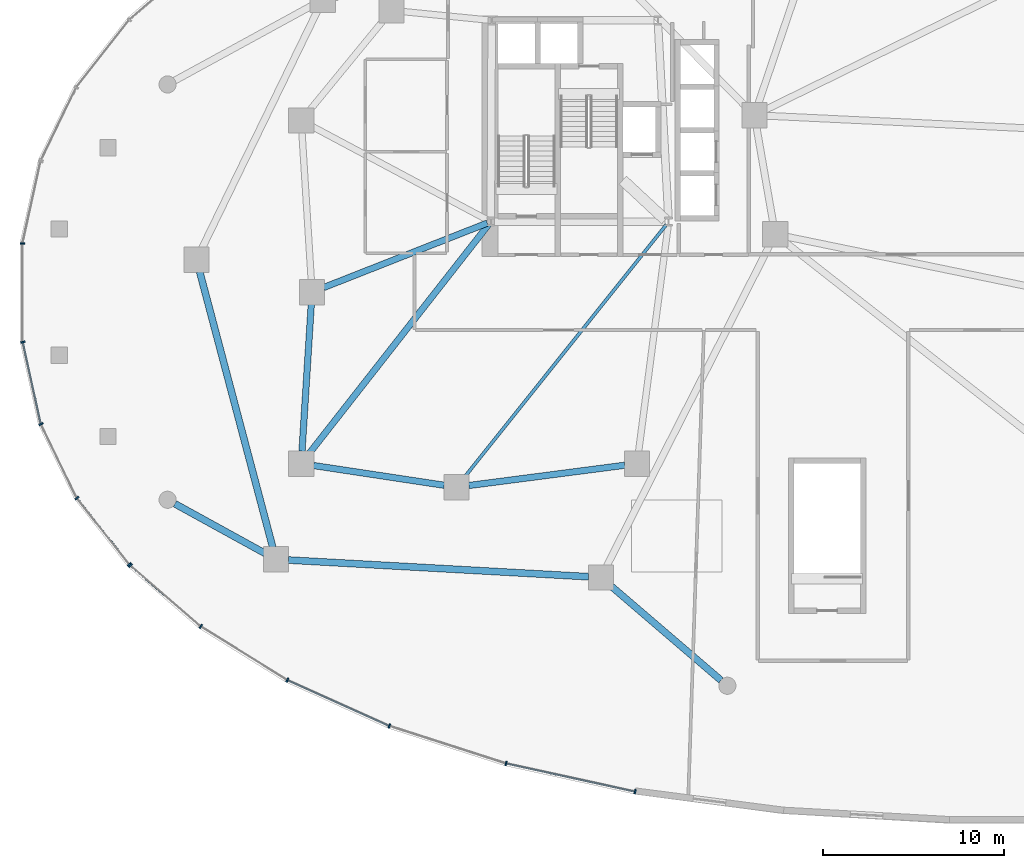
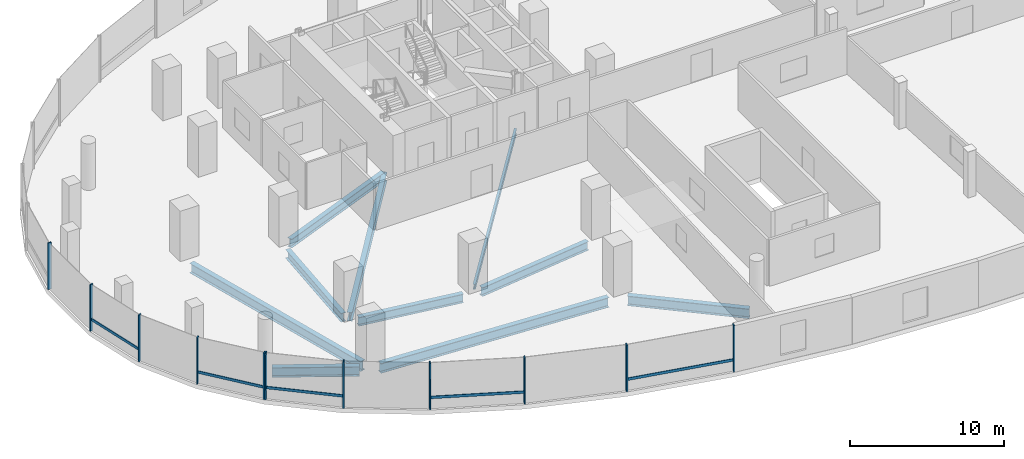
# One storey, part 3 of 18: 16 members, 10 beams, 2 elements without a shape of their own.
"""IFC4 building model written with IfcOpenShell, lengths in metres."""

from ifc_helpers import new_model, si_unit, direction, frame, origin, origin_2d, place, context, subcontext, project, spatial, rectangle, i_section, extrude, material, material_profile, profile_set, type_object, element, aggregate, save


model = new_model("IFC4")

# Units and contexts
model_context = context("Model", 3, precision=1e-05, world=origin(), true_north=direction((0.0, 1.0)))
body_context = subcontext(model_context, "Body", "Model", "MODEL_VIEW")
ifc_project = project(units=[si_unit("LENGTHUNIT", "METRE"), si_unit("AREAUNIT", "SQUARE_METRE"), si_unit("VOLUMEUNIT", "CUBIC_METRE"), si_unit("PLANEANGLEUNIT", "RADIAN"), si_unit("MASSUNIT", "GRAM", prefix="KILO"), si_unit("THERMODYNAMICTEMPERATUREUNIT", "KELVIN"), si_unit("POWERUNIT", "WATT")], contexts=[model_context])

# Site, building, storey
site_placement = place(None, origin())
site = spatial("IfcSite", under=ifc_project, at=site_placement, CompositionType="ELEMENT")
building_placement = place(site_placement, origin())
building = spatial("IfcBuilding", under=site, at=building_placement, Name="Cundina Bronze Exchange", CompositionType="ELEMENT")
storey_placement = place(building_placement, frame((0.0, 0.0, 20.0)))
storey = spatial("IfcBuildingStorey", under=building, at=storey_placement, Name="L04", CompositionType="ELEMENT", Elevation=20.0)

# Beams
ifc_material_1 = material(Name="Steel ASTM A992 Grade 50", Category="steel")
ifc_material_profile_1 = material_profile(ifc_material_1, i_section(OverallWidth=0.178955078125, OverallDepth=0.409912109375, WebThickness=0.0087890625, FlangeThickness=0.014404296875, FilletRadius=0.010986328125, at=origin_2d()), Name="W16X45", Category="steel")
ifc_profile_set_1 = profile_set([ifc_material_profile_1], Name="Steel ASTM A992 Grade 50")
beam_type_1 = type_object("IfcBeamType", Name="BM-JST-W16", PredefinedType="JOIST", material=ifc_profile_set_1)
beam_1_placement = place(storey_placement, frame((-21.577392578125, 3.740478515625, -0.554931640625), z_axis=(-0.624374458297, -0.781125172957, 0.0), x_axis=(0.781125172957, -0.624374458297, 0.0)))
element("IfcBeam", 1, at=beam_1_placement, inside=storey, type_object=beam_type_1, Name="L04 W Interior Core-to-Ring Joist 2", PredefinedType="JOIST", context=body_context, shape_type="SweptSolid", body=[
    extrude(i_section(OverallWidth=0.178955078125, OverallDepth=0.409912109375, WebThickness=0.0087890625, FlangeThickness=0.014404296875, FilletRadius=0.010986328125, at=origin_2d()), origin(), (0.0, 0.0, 1.0), 17.927001953125),
])
ifc_material_profile_2 = material_profile(ifc_material_1, i_section(OverallWidth=0.35498046875, OverallDepth=0.695068359375, WebThickness=0.015380859375, FlangeThickness=0.02490234375, FilletRadius=0.01806640625, at=origin_2d()), Name="W27X146", Category="steel")
ifc_profile_set_2 = profile_set([ifc_material_profile_2], Name="Steel ASTM A992 Grade 50")
beam_type_2 = type_object("IfcBeamType", Name="BM-RING-W27", PredefinedType="USERDEFINED", material=ifc_profile_set_2)
beam_2_placement = place(storey_placement, frame((-41.243408203125, -0.6865234375, -0.697509765625), z_axis=(-0.063020359641, -0.998012241544, 0.0), x_axis=(0.998012241544, -0.063020359641, 0.0)))
element("IfcBeam", 2, at=beam_2_placement, inside=storey, type_object=beam_type_2, Name="L04 W Inner Structural Ring Girder 04", ObjectType="GIRDER", PredefinedType="USERDEFINED", context=body_context, shape_type="SweptSolid", body=[
    extrude(i_section(OverallWidth=0.35498046875, OverallDepth=0.695068359375, WebThickness=0.015380859375, FlangeThickness=0.02490234375, FilletRadius=0.01806640625, at=origin_2d()), origin(), (0.0, 0.0, 1.0), 8.14306640625),
])
beam_3_placement = place(storey_placement, frame((-41.11962890625, -9.602783203125, -0.697509765625), z_axis=(0.988763496177, -0.149488289268, 0.0), x_axis=(0.149488289268, 0.988763496177, 0.0)))
element("IfcBeam", 3, at=beam_3_placement, inside=storey, type_object=beam_type_2, Name="L04 W Inner Structural Ring Girder 05", ObjectType="GIRDER", PredefinedType="USERDEFINED", context=body_context, shape_type="SweptSolid", body=[
    extrude(i_section(OverallWidth=0.35498046875, OverallDepth=0.695068359375, WebThickness=0.015380859375, FlangeThickness=0.02490234375, FilletRadius=0.01806640625, at=origin_2d()), origin(), (0.0, 0.0, 1.0), 7.321533203125),
])
beam_4_placement = place(storey_placement, frame((-32.517578125, -10.711181640625, -0.697509765625), z_axis=(0.991655975758, 0.128912473185, 0.0), x_axis=(-0.128912473185, 0.991655975758, 0.0)))
element("IfcBeam", 4, at=beam_4_placement, inside=storey, type_object=beam_type_2, Name="L04 W Inner Structural Ring Girder 06", ObjectType="GIRDER", PredefinedType="USERDEFINED", context=body_context, shape_type="SweptSolid", body=[
    extrude(i_section(OverallWidth=0.35498046875, OverallDepth=0.695068359375, WebThickness=0.015380859375, FlangeThickness=0.02490234375, FilletRadius=0.01806640625, at=origin_2d()), origin(), (0.0, 0.0, 1.0), 8.7080078125),
])
beam_5_placement = place(storey_placement, frame((-31.48974609375, 3.8251953125, -0.697509765625), z_axis=(-0.930410463214, -0.366519262715, 0.0), x_axis=(0.366519262715, -0.930410463214, 0.0)))
element("IfcBeam", 5, at=beam_5_placement, inside=storey, type_object=beam_type_2, Name="L04 W Core-to-Waist Tie Beam 1", ObjectType="GIRDER", PredefinedType="USERDEFINED", context=body_context, shape_type="SweptSolid", body=[
    extrude(i_section(OverallWidth=0.35498046875, OverallDepth=0.695068359375, WebThickness=0.015380859375, FlangeThickness=0.02490234375, FilletRadius=0.01806640625, at=origin_2d()), origin(), (0.0, 0.0, 1.0), 9.74853515625),
])
beam_6_placement = place(storey_placement, frame((-31.42578125, 3.739501953125, -0.697509765625), z_axis=(-0.616784362929, -0.787132167839, 0.0), x_axis=(0.787132167839, -0.616784362929, 0.0)))
element("IfcBeam", 6, at=beam_6_placement, inside=storey, type_object=beam_type_2, Name="L04 W Core-to-Waist Tie Beam 3", ObjectType="GIRDER", PredefinedType="USERDEFINED", context=body_context, shape_type="SweptSolid", body=[
    extrude(i_section(OverallWidth=0.35498046875, OverallDepth=0.695068359375, WebThickness=0.015380859375, FlangeThickness=0.02490234375, FilletRadius=0.01806640625, at=origin_2d()), origin(), (0.0, 0.0, 1.0), 16.132080078125),
])
ifc_material_profile_3 = material_profile(ifc_material_1, i_section(OverallWidth=0.381103515625, OverallDepth=0.77294921875, WebThickness=0.0166015625, FlangeThickness=0.027099609375, FilletRadius=0.01904296875, at=origin_2d()), Name="W30X173", Category="steel")
ifc_profile_set_3 = profile_set([ifc_material_profile_3], Name="Steel ASTM A992 Grade 50")
beam_type_3 = type_object("IfcBeamType", Name="BM-RING-W30", PredefinedType="USERDEFINED", material=ifc_profile_set_3)
beam_7_placement = place(storey_placement, frame((-48.794189453125, -11.72314453125, -0.736572265625), z_axis=(0.876211384386, -0.481926975663, 0.0), x_axis=(0.481926975663, 0.876211384386, 0.0)))
element("IfcBeam", 7, at=beam_7_placement, inside=storey, type_object=beam_type_3, Name="L04 Podium Colonnade Tie Beam 02", ObjectType="GIRDER", PredefinedType="USERDEFINED", context=body_context, shape_type="SweptSolid", body=[
    extrude(i_section(OverallWidth=0.381103515625, OverallDepth=0.77294921875, WebThickness=0.0166015625, FlangeThickness=0.027099609375, FilletRadius=0.01904296875, at=origin_2d()), origin(), (0.0, 0.0, 1.0), 5.696533203125),
])
beam_8_placement = place(storey_placement, frame((-18.551513671875, -21.498779296875, -0.736572265625), z_axis=(-0.759248058703, 0.650801340929, 0.0), x_axis=(-0.650801340929, -0.759248058703, 0.0)))
element("IfcBeam", 8, at=beam_8_placement, inside=storey, type_object=beam_type_3, Name="L04 Podium Colonnade Tie Beam 06", ObjectType="GIRDER", PredefinedType="USERDEFINED", context=body_context, shape_type="SweptSolid", body=[
    extrude(i_section(OverallWidth=0.381103515625, OverallDepth=0.77294921875, WebThickness=0.0166015625, FlangeThickness=0.027099609375, FilletRadius=0.01904296875, at=origin_2d()), origin(), (0.0, 0.0, 1.0), 8.068359375),
])
beam_9_placement = place(storey_placement, frame((-47.423583984375, 1.135009765625, -0.736572265625), z_axis=(0.256206036219, -0.966622194554, 0.0), x_axis=(0.966622194554, 0.256206036219, 0.0)))
element("IfcBeam", 9, at=beam_9_placement, inside=storey, type_object=beam_type_3, Name="L04 W Podium Ring Girder 08", ObjectType="GIRDER", PredefinedType="USERDEFINED", context=body_context, shape_type="SweptSolid", body=[
    extrude(i_section(OverallWidth=0.381103515625, OverallDepth=0.77294921875, WebThickness=0.0166015625, FlangeThickness=0.027099609375, FilletRadius=0.01904296875, at=origin_2d()), origin(), (0.0, 0.0, 1.0), 15.79736328125),
])
beam_10_placement = place(storey_placement, frame((-42.51318359375, -14.838134765625, -0.736572265625), z_axis=(0.998460668975, -0.055464335483, 0.0), x_axis=(0.055464335483, 0.998460668975, 0.0)))
element("IfcBeam", 10, at=beam_10_placement, inside=storey, type_object=beam_type_3, Name="L04 W Podium Ring Girder 10", ObjectType="GIRDER", PredefinedType="USERDEFINED", context=body_context, shape_type="SweptSolid", body=[
    extrude(i_section(OverallWidth=0.381103515625, OverallDepth=0.77294921875, WebThickness=0.0166015625, FlangeThickness=0.027099609375, FilletRadius=0.01904296875, at=origin_2d()), origin(), (0.0, 0.0, 1.0), 16.65185546875),
])

# Curtain wall, members
ifc_material_2 = material(Name="Anodised Bronze Aluminium 6063-T6", Category="aluminium")
curtain_wall_type = type_object("IfcCurtainWallType", Name="CWS-POD-CONC", PredefinedType="NOTDEFINED", material=ifc_material_2)
curtain_wall_1_placement = place(storey_placement, origin())
curtain_wall_1 = element("IfcCurtainWall", 11, at=curtain_wall_1_placement, inside=storey, type_object=curtain_wall_type, Name="L04 CW-01 Curtain Wall Run CWR-L04-04", PredefinedType="NOTDEFINED")
ifc_material_profile_4 = material_profile(ifc_material_2, rectangle(XDim=0.0849609375, YDim=0.25, at=origin_2d()), Name="AL85X250", Category="aluminium")
ifc_profile_set_4 = profile_set([ifc_material_profile_4], Name="Anodised Bronze Aluminium 6063-T6")
member_type_1 = type_object("IfcMemberType", Name="CWM-MUL-250", PredefinedType="MULLION", material=ifc_profile_set_4)
member_1_placement = place(storey_placement, frame((-57.22900390625, 2.680419921875, 0.0), z_axis=(0.0, 0.0, 1.0), x_axis=(0.0, -1.0, 0.0)))
member_1 = element("IfcMember", 12, at=member_1_placement, type_object=member_type_1, Name="CW-01 Mullion 2", PredefinedType="MULLION", context=body_context, shape_type="SweptSolid", body=[
    extrude(rectangle(XDim=0.0849609375, YDim=0.25, at=origin_2d()), origin(), (0.0, 0.0, 1.0), 3.699951171875),
])
member_2_placement = place(storey_placement, frame((-57.219482421875, -2.76708984375, 0.0), z_axis=(0.0, 0.0, 1.0), x_axis=(0.214564862428, -0.976709741843, 0.0)))
member_2 = element("IfcMember", 13, at=member_2_placement, type_object=member_type_1, Name="CW-01 Mullion 3", PredefinedType="MULLION", context=body_context, shape_type="SweptSolid", body=[
    extrude(rectangle(XDim=0.0849609375, YDim=0.25, at=origin_2d()), origin(), (0.0, 0.0, 1.0), 3.699951171875),
])
member_3_placement = place(storey_placement, frame((-56.211669921875, -7.311279296875, 0.0), z_axis=(0.0, 0.0, 1.0), x_axis=(0.435702445497, -0.900090761528, 0.0)))
member_3 = element("IfcMember", 14, at=member_3_placement, type_object=member_type_1, Name="CW-01 Mullion 4", PredefinedType="MULLION", context=body_context, shape_type="SweptSolid", body=[
    extrude(rectangle(XDim=0.0849609375, YDim=0.25, at=origin_2d()), origin(), (0.0, 0.0, 1.0), 3.699951171875),
])
member_4_placement = place(storey_placement, frame((-54.21728515625, -11.408935546875, 0.0), z_axis=(0.0, 0.0, 1.0), x_axis=(0.61950505541, -0.784992666412, 0.0)))
member_4 = element("IfcMember", 15, at=member_4_placement, type_object=member_type_1, Name="CW-01 Mullion 5", PredefinedType="MULLION", context=body_context, shape_type="SweptSolid", body=[
    extrude(rectangle(XDim=0.0849609375, YDim=0.25, at=origin_2d()), origin(), (0.0, 0.0, 1.0), 3.699951171875),
])
member_5_placement = place(storey_placement, frame((-51.320068359375, -15.08056640625, 0.0), z_axis=(0.0, 0.0, 1.0), x_axis=(0.61950505541, -0.784992666412, 0.0)))
member_5 = element("IfcMember", 16, at=member_5_placement, type_object=member_type_1, Name="CW-01 End Mullion", PredefinedType="MULLION", context=body_context, shape_type="SweptSolid", body=[
    extrude(rectangle(XDim=0.0849609375, YDim=0.25, at=origin_2d()), origin(), (0.0, 0.0, 1.0), 3.699951171875),
])

curtain_wall_2_placement = place(storey_placement, origin())
curtain_wall_2 = element("IfcCurtainWall", 17, at=curtain_wall_2_placement, inside=storey, type_object=curtain_wall_type, Name="L04 CW-01 Curtain Wall Run CWR-L04-05", PredefinedType="NOTDEFINED")
member_6_placement = place(storey_placement, frame((-51.257080078125, -15.146484375, 0.0), z_axis=(0.0, 0.0, 1.0), x_axis=(0.755510544084, -0.6551364879, 0.0)))
member_6 = element("IfcMember", 18, at=member_6_placement, type_object=member_type_1, Name="CW-01 Mullion 1", PredefinedType="MULLION", context=body_context, shape_type="SweptSolid", body=[
    extrude(rectangle(XDim=0.0849609375, YDim=0.25, at=origin_2d()), origin(), (0.0, 0.0, 1.0), 3.699951171875),
])
member_7_placement = place(storey_placement, frame((-47.35986328125, -18.515380859375, 0.0), z_axis=(0.0, 0.0, 1.0), x_axis=(0.849340400263, -0.527845511945, 0.0)))
member_7 = element("IfcMember", 19, at=member_7_placement, type_object=member_type_1, Name="CW-01 Mullion 2", PredefinedType="MULLION", context=body_context, shape_type="SweptSolid", body=[
    extrude(rectangle(XDim=0.0849609375, YDim=0.25, at=origin_2d()), origin(), (0.0, 0.0, 1.0), 3.699951171875),
])
member_8_placement = place(storey_placement, frame((-42.566162109375, -21.4873046875, 0.0), z_axis=(0.0, 0.0, 1.0), x_axis=(0.911618620107, -0.411037092578, 0.0)))
member_8 = element("IfcMember", 20, at=member_8_placement, type_object=member_type_1, Name="CW-01 Mullion 3", PredefinedType="MULLION", context=body_context, shape_type="SweptSolid", body=[
    extrude(rectangle(XDim=0.0849609375, YDim=0.25, at=origin_2d()), origin(), (0.0, 0.0, 1.0), 3.699951171875),
])
member_9_placement = place(storey_placement, frame((-36.91796875, -24.027099609375, 0.0), z_axis=(0.0, 0.0, 1.0), x_axis=(0.951862260753, -0.306526078098, 0.0)))
member_9 = element("IfcMember", 21, at=member_9_placement, type_object=member_type_1, Name="CW-01 Mullion 4", PredefinedType="MULLION", context=body_context, shape_type="SweptSolid", body=[
    extrude(rectangle(XDim=0.0849609375, YDim=0.25, at=origin_2d()), origin(), (0.0, 0.0, 1.0), 3.699951171875),
])
member_10_placement = place(storey_placement, frame((-30.456787109375, -26.10302734375, 0.0), z_axis=(0.0, 0.0, 1.0), x_axis=(0.976896613081, -0.213712440794, 0.0)))
member_10 = element("IfcMember", 22, at=member_10_placement, type_object=member_type_1, Name="CW-01 Mullion 5", PredefinedType="MULLION", context=body_context, shape_type="SweptSolid", body=[
    extrude(rectangle(XDim=0.0849609375, YDim=0.25, at=origin_2d()), origin(), (0.0, 0.0, 1.0), 3.699951171875),
])
member_11_placement = place(storey_placement, frame((-23.30810546875, -27.66650390625, 0.0), z_axis=(0.0, 0.0, 1.0), x_axis=(0.976896613081, -0.213712440794, 0.0)))
member_11 = element("IfcMember", 23, at=member_11_placement, type_object=member_type_1, Name="CW-01 End Mullion", PredefinedType="MULLION", context=body_context, shape_type="SweptSolid", body=[
    extrude(rectangle(XDim=0.0849609375, YDim=0.25, at=origin_2d()), origin(), (0.0, 0.0, 1.0), 3.699951171875),
])

# Member
ifc_material_profile_5 = material_profile(ifc_material_2, rectangle(XDim=0.080078125, YDim=0.2099609375, at=origin_2d()), Name="AL80X210", Category="aluminium")
ifc_profile_set_5 = profile_set([ifc_material_profile_5], Name="Anodised Bronze Aluminium 6063-T6")
member_type_2 = type_object("IfcMemberType", Name="CWM-TRN-210", PredefinedType="USERDEFINED", material=ifc_profile_set_5)
member_12_placement = place(storey_placement, frame((-57.209716796875, -2.812744140625, 0.919921875), z_axis=(0.214548972216, -0.97671323249, 0.0), x_axis=(0.97671323249, 0.214548972216, 0.0)))
member_12 = element("IfcMember", 24, at=member_12_placement, type_object=member_type_2, Name="CW-01 Spandrel Transom 3", ObjectType="TRANSOM", PredefinedType="USERDEFINED", context=body_context, shape_type="SweptSolid", body=[
    extrude(rectangle(XDim=0.080078125, YDim=0.2099609375, at=origin_2d()), origin(), (0.0, 0.0, 1.0), 4.571044921875),
])

member_13_placement = place(storey_placement, frame((-54.1884765625, -11.445556640625, 0.919921875), z_axis=(0.619471571466, -0.785019090306, 0.0), x_axis=(0.785019090306, 0.619471571466, 0.0)))
member_13 = element("IfcMember", 25, at=member_13_placement, type_object=member_type_2, Name="CW-01 Spandrel Transom 5", ObjectType="TRANSOM", PredefinedType="USERDEFINED", context=body_context, shape_type="SweptSolid", body=[
    extrude(rectangle(XDim=0.080078125, YDim=0.2099609375, at=origin_2d()), origin(), (0.0, 0.0, 1.0), 4.58349609375),
])

aggregate(curtain_wall_1, [member_1, member_2, member_12, member_3, member_4, member_5, member_13])

member_14_placement = place(storey_placement, frame((-51.2216796875, -15.177001953125, 0.919921875), z_axis=(0.755563201238, -0.655075758164, 0.0), x_axis=(0.655075758164, 0.755563201238, 0.0)))
member_14 = element("IfcMember", 26, at=member_14_placement, type_object=member_type_2, Name="CW-01 Spandrel Transom 1", ObjectType="TRANSOM", PredefinedType="USERDEFINED", context=body_context, shape_type="SweptSolid", body=[
    extrude(rectangle(XDim=0.080078125, YDim=0.2099609375, at=origin_2d()), origin(), (0.0, 0.0, 1.0), 5.055908203125),
])

member_15_placement = place(storey_placement, frame((-42.5234375, -21.506591796875, 0.919921875), z_axis=(0.911656553379, -0.410952951908, 0.0), x_axis=(0.410952951908, 0.911656553379, 0.0)))
member_15 = element("IfcMember", 27, at=member_15_placement, type_object=member_type_2, Name="CW-01 Spandrel Transom 3", ObjectType="TRANSOM", PredefinedType="USERDEFINED", context=body_context, shape_type="SweptSolid", body=[
    extrude(rectangle(XDim=0.080078125, YDim=0.2099609375, at=origin_2d()), origin(), (0.0, 0.0, 1.0), 6.090576171875),
])

member_16_placement = place(storey_placement, frame((-30.4111328125, -26.113037109375, 0.919921875), z_axis=(0.976909937501, -0.213651524713, 0.0), x_axis=(0.213651524713, 0.976909937501, 0.0)))
member_16 = element("IfcMember", 28, at=member_16_placement, type_object=member_type_2, Name="CW-01 Spandrel Transom 5", ObjectType="TRANSOM", PredefinedType="USERDEFINED", context=body_context, shape_type="SweptSolid", body=[
    extrude(rectangle(XDim=0.080078125, YDim=0.2099609375, at=origin_2d()), origin(), (0.0, 0.0, 1.0), 7.22412109375),
])

aggregate(curtain_wall_2, [member_6, member_14, member_7, member_8, member_15, member_9, member_10, member_11, member_16])

save(model, "model.ifc")
